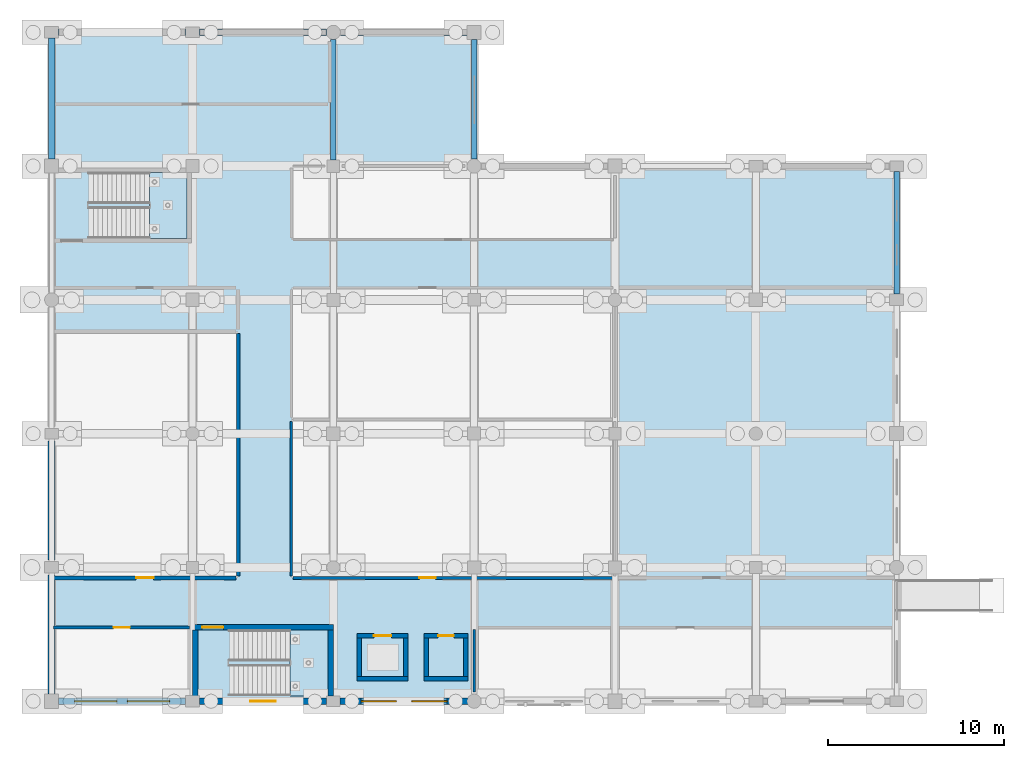
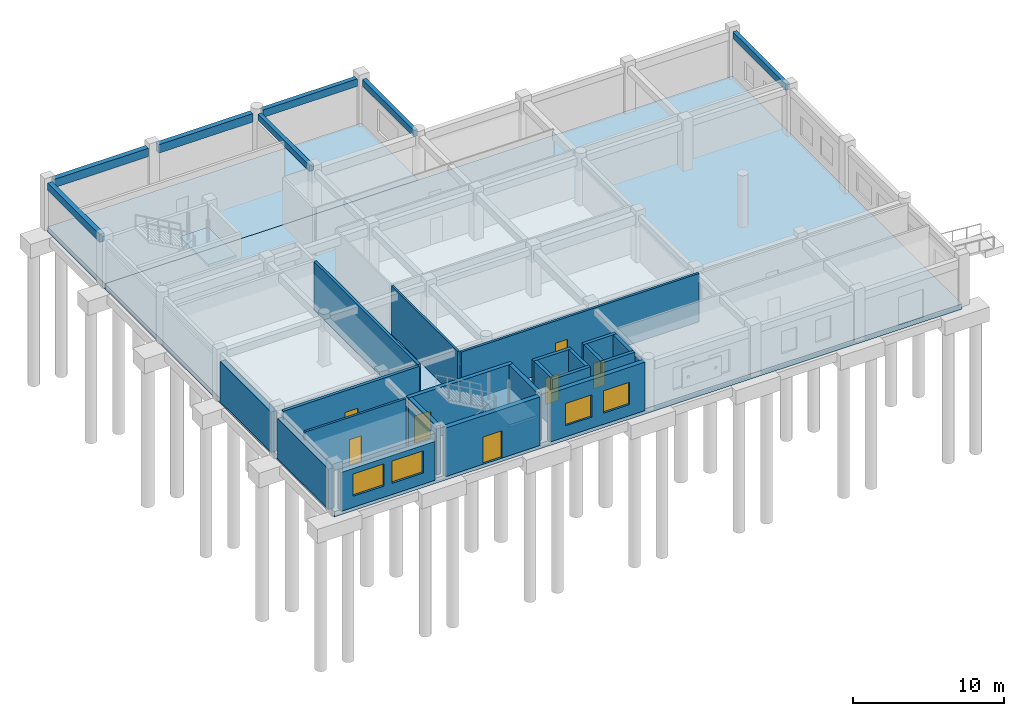
# One storey, part 5 of 11: 22 walls, 7 beams, 7 doors, 4 slabs, 4 windows, 11 openings, 2 elements without a shape of their own.
"""IFC4 building model written with IfcOpenShell, lengths in metres."""

from ifc_helpers import new_model, si_unit, direction, frame, frame_2d, origin, origin_2d, place, context, subcontext, project, spatial, polyline, rectangle, outline, extrude, material, layer, layer_set, material_profile, profile_set, type_object, element, fill, aggregate, save


model = new_model("IFC4")

# Units and contexts
model_context = context("Model", 3, precision=1e-05, world=origin(), true_north=direction((0.0, 1.0)))
body_context = subcontext(model_context, "Body", "Model", "MODEL_VIEW")
ifc_project = project(units=[si_unit("LENGTHUNIT", "METRE"), si_unit("AREAUNIT", "SQUARE_METRE"), si_unit("VOLUMEUNIT", "CUBIC_METRE"), si_unit("PLANEANGLEUNIT", "RADIAN"), si_unit("MASSUNIT", "GRAM", prefix="KILO")], contexts=[model_context])

# Site, building, storey
site_placement = place(None, origin())
site = spatial("IfcSite", under=ifc_project, at=site_placement, CompositionType="ELEMENT")
building_placement = place(site_placement, origin())
building = spatial("IfcBuilding", under=site, at=building_placement, Name="Kharva Crest Polytechnic", CompositionType="ELEMENT")
storey_placement = place(building_placement, frame((0.0, 0.0, -4.199951171875)))
storey = spatial("IfcBuildingStorey", under=building, at=storey_placement, Name="LG", CompositionType="ELEMENT", Elevation=-4.199951171875)

# Beams
ifc_material_1 = material(Name="Concrete C35/45", Category="concrete")
ifc_material_profile_1 = material_profile(ifc_material_1, rectangle(XDim=0.300048828125, YDim=0.47998046875, at=origin_2d()), Name="RECT 300 X 480")
ifc_profile_set_1 = profile_set([ifc_material_profile_1], Name="Concrete C35/45")
beam_type_1 = type_object("IfcBeamType", Name="BM-RC-300X480", PredefinedType="BEAM", material=ifc_profile_set_1)
beam_1_placement = place(storey_placement, frame((136.800048828125, 30.75, 3.554931640625), z_axis=(0.0, 1.0, 0.0), x_axis=(-1.0, 0.0, 0.0)))
element("IfcBeam", 1, at=beam_1_placement, inside=storey, type_object=beam_type_1, Name="LG Girder 18/E-F", PredefinedType="BEAM", context=body_context, shape_type="SweptSolid", body=[
    extrude(rectangle(XDim=0.300048828125, YDim=0.47998046875, at=origin_2d()), origin(), (0.0, 0.0, 1.0), 6.85009765625),
])
ifc_material_profile_2 = material_profile(ifc_material_1, rectangle(XDim=0.300048828125, YDim=0.52001953125, at=origin_2d()), Name="RECT 300 X 520")
ifc_profile_set_2 = profile_set([ifc_material_profile_2], Name="Concrete C35/45")
beam_type_2 = type_object("IfcBeamType", Name="SP-RC-300X520", PredefinedType="SPANDREL", material=ifc_profile_set_2)
beam_2_placement = place(storey_placement, frame((144.800048828125, 30.800048828125, 3.534912109375), z_axis=(0.0, 1.0, 0.0), x_axis=(-1.0, 0.0, 0.0)))
element("IfcBeam", 2, at=beam_2_placement, inside=storey, type_object=beam_type_2, Name="LG Girder 19/E-F", PredefinedType="SPANDREL", context=body_context, shape_type="SweptSolid", body=[
    extrude(rectangle(XDim=0.300048828125, YDim=0.52001953125, at=origin_2d()), origin(), (0.0, 0.0, 1.0), 6.800048828125),
])
beam_3_placement = place(storey_placement, frame((168.800048828125, 23.125, 3.534912109375), z_axis=(0.0, 1.0, 0.0), x_axis=(-1.0, 0.0, 0.0)))
element("IfcBeam", 3, at=beam_3_placement, inside=storey, type_object=beam_type_2, Name="LG Girder 22/D-E", PredefinedType="SPANDREL", context=body_context, shape_type="SweptSolid", body=[
    extrude(rectangle(XDim=0.300048828125, YDim=0.52001953125, at=origin_2d()), origin(), (0.0, 0.0, 1.0), 6.97509765625),
])
ifc_material_profile_3 = material_profile(ifc_material_1, rectangle(XDim=0.340087890625, YDim=0.60009765625, at=origin_2d()), Name="RECT 340 X 600")
ifc_profile_set_3 = profile_set([ifc_material_profile_3], Name="Concrete C35/45")
beam_type_3 = type_object("IfcBeamType", Name="SP-RC-340X600", PredefinedType="SPANDREL", material=ifc_profile_set_3)
beam_4_placement = place(storey_placement, frame((137.199951171875, 38.0, 3.494873046875), z_axis=(1.0, 0.0, 0.0), x_axis=(0.0, 1.0, 0.0)))
element("IfcBeam", 4, at=beam_4_placement, inside=storey, type_object=beam_type_3, Name="LG Beam F/18-19", PredefinedType="SPANDREL", context=body_context, shape_type="SweptSolid", body=[
    extrude(rectangle(XDim=0.340087890625, YDim=0.60009765625, at=origin_2d()), origin(), (0.0, 0.0, 1.0), 7.199951171875),
])
ifc_material_profile_4 = material_profile(ifc_material_1, rectangle(XDim=0.35009765625, YDim=0.6201171875, at=origin_2d()), Name="RECT 350 X 620")
ifc_profile_set_4 = profile_set([ifc_material_profile_4], Name="Concrete C35/45")
beam_type_4 = type_object("IfcBeamType", Name="SP-RC-350X620", PredefinedType="SPANDREL", material=ifc_profile_set_4)
beam_5_placement = place(storey_placement, frame((120.800048828125, 30.800048828125, 3.48486328125), z_axis=(0.0, 1.0, 0.0), x_axis=(-1.0, 0.0, 0.0)))
element("IfcBeam", 5, at=beam_5_placement, inside=storey, type_object=beam_type_4, Name="LG Girder 16J/E-F", PredefinedType="SPANDREL", context=body_context, shape_type="SweptSolid", body=[
    extrude(rectangle(XDim=0.35009765625, YDim=0.6201171875, at=origin_2d()), origin(), (0.0, 0.0, 1.0), 6.875),
])
ifc_material_profile_5 = material_profile(ifc_material_1, rectangle(XDim=0.3798828125, YDim=0.679931640625, at=origin_2d()), Name="RECT 380 X 680")
ifc_profile_set_5 = profile_set([ifc_material_profile_5], Name="Concrete C35/45")
beam_type_5 = type_object("IfcBeamType", Name="SP-RC-380X680", PredefinedType="SPANDREL", material=ifc_profile_set_5)
for number, where, z_axis, x_axis, name in (
    (6, (121.199951171875, 38.0, 3.454833984375), (1.0, 0.0, 0.0), (0.0, 1.0, 0.0), "LG Beam F/16J-17"),
    (7, (129.18994140625, 38.0, 3.454833984375), (1.0, 0.0, 0.0), (0.0, 1.0, 0.0), "LG Beam F/17-18"),
):
    element("IfcBeam", number, at=place(storey_placement, frame(where, z_axis=z_axis, x_axis=x_axis)), inside=storey, type_object=beam_type_5, Name=name, PredefinedType="SPANDREL", context=body_context, shape_type="SweptSolid", body=[
        extrude(rectangle(XDim=0.3798828125, YDim=0.679931640625, at=origin_2d()), origin(), (0.0, 0.0, 1.0), 7.2099609375),
    ])

# Slabs
ifc_layer_1 = layer(ifc_material_1, 0.419921875, Name="Concrete C35/45")
ifc_layer_set_1 = layer_set([ifc_layer_1], Name="Concrete C35/45")
slab_type_1 = type_object("IfcSlabType", Name="SLB-BASE-420", PredefinedType="BASESLAB", material=ifc_layer_set_1)
slab_1_placement = place(storey_placement, frame((0.0, 0.0, -0.420166015625)))
element("IfcSlab", 8, at=slab_1_placement, inside=storey, type_object=slab_type_1, Name="LG Structural Slab SE_REF_MAIN", PredefinedType="BASESLAB", context=body_context, shape_type="SweptSolid", body=[
    extrude(outline(polyline([(120.800048828125, 0.0), (168.800048828125, 0.0), (168.800048828125, 30.39990234375), (120.800048828125, 30.39990234375), (120.800048828125, 0.0)])), origin(), (0.0, 0.0, 1.0), 0.420166015625),
])
slab_2_placement = place(storey_placement, frame((0.0, 0.0, -0.420166015625)))
element("IfcSlab", 9, at=slab_2_placement, inside=storey, type_object=slab_type_1, Name="LG Structural Slab SE_REF_N", PredefinedType="BASESLAB", context=body_context, shape_type="SweptSolid", body=[
    extrude(outline(polyline([(120.800048828125, 30.39990234375), (144.800048828125, 30.39990234375), (144.800048828125, 38.0), (120.800048828125, 38.0), (120.800048828125, 30.39990234375)])), origin(), (0.0, 0.0, 1.0), 0.420166015625),
])

# Stair, slab
stair_type_1 = type_object("IfcStairType", Name="STR-DOGLEG-1780", PredefinedType="TWO_STRAIGHT_RUN_STAIR", material=ifc_material_1)
stair_1_placement = place(storey_placement, origin())
stair_1 = element("IfcStair", 10, at=stair_1_placement, inside=storey, type_object=stair_type_1, Name="LG South-East Refectory Escarpment Core C6", PredefinedType="TWO_STRAIGHT_RUN_STAIR")
ifc_layer_2 = layer(ifc_material_1, 0.199951171875, Name="Concrete C35/45")
ifc_layer_set_2 = layer_set([ifc_layer_2], Name="Concrete C35/45")
slab_type_2 = type_object("IfcSlabType", Name="SLB-LAND-200", PredefinedType="LANDING", material=ifc_layer_set_2)
slab_3_placement = place(storey_placement, frame((0.0, 0.0, 1.89990234375)))
slab_3 = element("IfcSlab", 11, at=slab_3_placement, type_object=slab_type_2, Name="ST-06 landing 1", PredefinedType="LANDING", context=body_context, shape_type="SweptSolid", body=[
    extrude(outline(polyline([(134.3349609375, 0.300048828125), (136.5, 0.300048828125), (136.5, 4.06005859375), (134.3349609375, 4.06005859375), (134.3349609375, 0.300048828125)])), origin(), (0.0, 0.0, 1.0), 0.199951171875),
])
aggregate(stair_1, [slab_3])

stair_type_2 = type_object("IfcStairType", Name="STR-DOGLEG-1790", PredefinedType="TWO_STRAIGHT_RUN_STAIR", material=ifc_material_1)
stair_2_placement = place(storey_placement, origin())
stair_2 = element("IfcStair", 12, at=stair_2_placement, inside=storey, type_object=stair_type_2, Name="LG South-East Escarpment Secondary Stair C7", PredefinedType="TWO_STRAIGHT_RUN_STAIR")
slab_4_placement = place(storey_placement, frame((0.0, 0.0, 1.89990234375)))
slab_4 = element("IfcSlab", 13, at=slab_4_placement, type_object=slab_type_2, Name="ST-07 landing 1", PredefinedType="LANDING", context=body_context, shape_type="SweptSolid", body=[
    extrude(outline(polyline([(126.344970703125, 26.2900390625), (128.5, 26.2900390625), (128.5, 30.050048828125), (126.344970703125, 30.050048828125), (126.344970703125, 26.2900390625)])), origin(), (0.0, 0.0, 1.0), 0.199951171875),
])
aggregate(stair_2, [slab_4])

# Wall, opening, door
ifc_material_2 = material(Name="Concrete C40/50", Category="concrete")
ifc_layer_3 = layer(ifc_material_2, 0.300048828125, Name="Concrete C40/50")
ifc_layer_set_3 = layer_set([ifc_layer_3], Name="Concrete C40/50")
wall_type_1 = type_object("IfcWallType", Name="WL-CORE-CW2-300", PredefinedType="SHEAR", material=ifc_layer_set_3)
wall_1_placement = place(storey_placement, frame((128.800048828125, 4.2099609375, 0.0), z_axis=(0.0, 0.0, 1.0), x_axis=(1.0, 0.0, 0.0)))
wall_1 = element("IfcWall", 14, at=wall_1_placement, inside=storey, type_object=wall_type_1, Name="LG South-East Refectory Escarpment Core C6 North Shear Wall", PredefinedType="SHEAR", context=body_context, shape_type="SweptSolid", body=[
    extrude(rectangle(XDim=8.0, YDim=0.300048828125, at=frame_2d((4.0, 0.0))), origin(), (0.0, 0.0, 1.0), 3.919921875),
])
opening_1_placement = place(wall_1_placement, frame((0.550048828125, 0.0, 0.0)))
opening_1 = element("IfcOpeningElement", 15, at=opening_1_placement, cuts=wall_1, Name="Opening FD1", PredefinedType="OPENING", context=body_context, shape_type="SweptSolid", body=[
    extrude(rectangle(XDim=1.199951171875, YDim=2.199951171875, at=frame_2d((0.60009765625, 1.10009765625))), frame((0.0, 0.159912109375, 0.0), z_axis=(0.0, -1.0, 0.0), x_axis=(1.0, 0.0, 0.0)), (0.0, 0.0, 1.0), 0.320068359375),
])
ifc_material_3 = material(Name="Teak timber", Category="wood")
door_type_1 = type_object("IfcDoorType", Name="DR-STAIR-1200X2200", OperationType="NOTDEFINED", PredefinedType="DOOR", material=ifc_material_3)
door_1_placement = place(opening_1_placement, origin())
door_1 = element("IfcDoor", 16, at=door_1_placement, inside=storey, type_object=door_type_1, Name="LG ST-06 Stair Door", OperationType="SINGLE_SWING_LEFT", OverallHeight=2.199951171875, OverallWidth=1.199951171875, PredefinedType="DOOR", context=body_context, shape_type="SweptSolid", body=[
    extrude(rectangle(XDim=1.199951171875, YDim=2.199951171875, at=frame_2d((0.60009765625, 1.10009765625))), frame((0.0, 0.02490234375, 0.0), z_axis=(0.0, -1.0, 0.0), x_axis=(1.0, 0.0, 0.0)), (0.0, 0.0, 1.0), 0.050048828125),
])
fill(opening_1, door_1)

# Walls
for number, where, z_axis, x_axis, name in (
    (17, (128.949951171875, 0.300048828125, 0.0), (0.0, 0.0, 1.0), (0.0, 1.0, 0.0), "LG South-East Refectory Escarpment Core C6 West Shear Wall"),
    (18, (136.64990234375, 0.300048828125, 0.0), (0.0, 0.0, 1.0), (0.0, 1.0, 0.0), "LG South-East Refectory Escarpment Core C6 East Shear Wall"),
):
    element("IfcWall", number, at=place(storey_placement, frame(where, z_axis=z_axis, x_axis=x_axis)), inside=storey, type_object=wall_type_1, Name=name, PredefinedType="SHEAR", context=body_context, shape_type="SweptSolid", body=[
        extrude(rectangle(XDim=3.760009765625, YDim=0.300048828125, at=frame_2d((1.8798828125, 0.0))), origin(), (0.0, 0.0, 1.0), 3.919921875),
    ])

# Wall, openings, windows
ifc_material_4 = material(Name="Kiln brick masonry", Category="masonry")
ifc_layer_4 = layer(ifc_material_4, 0.35009765625, Name="Kiln brick masonry")
ifc_layer_set_4 = layer_set([ifc_layer_4], Name="Kiln brick masonry")
wall_type_2 = type_object("IfcWallType", Name="WL-EXT-BRK-350", PredefinedType="SOLIDWALL", material=ifc_layer_set_4)
wall_2_placement = place(storey_placement, frame((137.18505859375, 0.0, 0.0), z_axis=(0.0, 0.0, 1.0), x_axis=(1.0, 0.0, 0.0)))
wall_2 = element("IfcWall", 19, at=wall_2_placement, inside=storey, type_object=wall_type_2, Name="LG Exterior Brick Wall 4", PredefinedType="SOLIDWALL", context=body_context, shape_type="SweptSolid", body=[
    extrude(rectangle(XDim=7.279052734375, YDim=0.35009765625, at=frame_2d((3.6396484375, 0.0))), origin(), (0.0, 0.0, 1.0), 3.919921875),
])
opening_2_placement = place(wall_2_placement, frame((1.199951171875, 0.0, 0.89990234375)))
opening_2 = element("IfcOpeningElement", 20, at=opening_2_placement, cuts=wall_2, Name="Opening W04", PredefinedType="OPENING", context=body_context, shape_type="SweptSolid", body=[
    extrude(rectangle(XDim=2.0, YDim=1.800048828125, at=frame_2d((1.0, 0.89990234375))), frame((0.0, 0.18505859375, 0.0), z_axis=(0.0, -1.0, 0.0), x_axis=(1.0, 0.0, 0.0)), (0.0, 0.0, 1.0), 0.3701171875),
])
opening_3_placement = place(wall_2_placement, frame((4.0791015625, 0.0, 0.89990234375)))
opening_3 = element("IfcOpeningElement", 21, at=opening_3_placement, cuts=wall_2, Name="Opening W04", PredefinedType="OPENING", context=body_context, shape_type="SweptSolid", body=[
    extrude(rectangle(XDim=2.0, YDim=1.800048828125, at=frame_2d((1.0, 0.89990234375))), frame((0.0, 0.18505859375, 0.0), z_axis=(0.0, -1.0, 0.0), x_axis=(1.0, 0.0, 0.0)), (0.0, 0.0, 1.0), 0.3701171875),
])
ifc_material_5 = material(Name="Anodised aluminium", Category="aluminium")
window_type_1 = type_object("IfcWindowType", Name="WIN-ALU-2000X1800", PartitioningType="SINGLE_PANEL", PredefinedType="WINDOW", material=ifc_material_5)
window_1_placement = place(opening_2_placement, origin())
window_1 = element("IfcWindow", 22, at=window_1_placement, inside=storey, type_object=window_type_1, Name="LG Exterior Window 4", OverallHeight=1.800048828125, OverallWidth=2.0, PartitioningType="SINGLE_PANEL", PredefinedType="WINDOW", context=body_context, shape_type="SweptSolid", body=[
    extrude(rectangle(XDim=2.0, YDim=1.800048828125, at=frame_2d((1.0, 0.89990234375))), frame((0.0, 0.030029296875, 0.0), z_axis=(0.0, -1.0, 0.0), x_axis=(1.0, 0.0, 0.0)), (0.0, 0.0, 1.0), 0.06005859375),
])
fill(opening_2, window_1)
window_2_placement = place(opening_3_placement, origin())
window_2 = element("IfcWindow", 23, at=window_2_placement, inside=storey, type_object=window_type_1, Name="LG Exterior Window 5", OverallHeight=1.800048828125, OverallWidth=2.0, PartitioningType="SINGLE_PANEL", PredefinedType="WINDOW", context=body_context, shape_type="SweptSolid", body=[
    extrude(rectangle(XDim=2.0, YDim=1.800048828125, at=frame_2d((1.0, 0.89990234375))), frame((0.0, 0.030029296875, 0.0), z_axis=(0.0, -1.0, 0.0), x_axis=(1.0, 0.0, 0.0)), (0.0, 0.0, 1.0), 0.06005859375),
])
fill(opening_3, window_2)

# Wall, opening, door
ifc_layer_5 = layer(ifc_material_4, 0.364990234375, Name="Kiln brick masonry")
ifc_layer_set_5 = layer_set([ifc_layer_5], Name="Kiln brick masonry")
wall_type_3 = type_object("IfcWallType", Name="WL-EXT-BRK-365", PredefinedType="SOLIDWALL", material=ifc_layer_set_5)
wall_3_placement = place(storey_placement, frame((129.195068359375, 0.0, 0.0), z_axis=(0.0, 0.0, 1.0), x_axis=(1.0, 0.0, 0.0)))
wall_3 = element("IfcWall", 24, at=wall_3_placement, inside=storey, type_object=wall_type_3, Name="LG Exterior Brick Wall 3", PredefinedType="SOLIDWALL", context=body_context, shape_type="SweptSolid", body=[
    extrude(rectangle(XDim=7.219970703125, YDim=0.364990234375, at=frame_2d((3.60986328125, 0.0))), origin(), (0.0, 0.0, 1.0), 3.919921875),
])
opening_4_placement = place(wall_3_placement, frame((2.8798828125, 0.0, 0.0)))
opening_4 = element("IfcOpeningElement", 25, at=opening_4_placement, cuts=wall_3, Name="Opening ED5", PredefinedType="OPENING", context=body_context, shape_type="SweptSolid", body=[
    extrude(rectangle(XDim=1.449951171875, YDim=2.199951171875, at=frame_2d((0.72509765625, 1.10009765625))), frame((0.0, 0.1923828125, 0.0), z_axis=(0.0, -1.0, 0.0), x_axis=(1.0, 0.0, 0.0)), (0.0, 0.0, 1.0), 0.385009765625),
])
door_type_2 = type_object("IfcDoorType", Name="DR-EXT-ESC-1450X2200", OperationType="NOTDEFINED", PredefinedType="DOOR", material=ifc_material_5)
door_2_placement = place(opening_4_placement, frame((1.449951171875, 0.0, 0.0), z_axis=(0.0, 0.0, 1.0), x_axis=(-1.0, 0.0, 0.0)))
door_2 = element("IfcDoor", 26, at=door_2_placement, inside=storey, type_object=door_type_2, Name="LG Core C6 Final Exit Door", OperationType="SINGLE_SWING_LEFT", OverallHeight=2.199951171875, OverallWidth=1.449951171875, PredefinedType="DOOR", context=body_context, shape_type="SweptSolid", body=[
    extrude(rectangle(XDim=1.449951171875, YDim=2.199951171875, at=frame_2d((0.72509765625, 1.10009765625))), frame((0.0, 0.02490234375, 0.0), z_axis=(0.0, -1.0, 0.0), x_axis=(1.0, 0.0, 0.0)), (0.0, 0.0, 1.0), 0.050048828125),
])
fill(opening_4, door_2)

# Wall, openings, windows
ifc_layer_6 = layer(ifc_material_4, 0.3798828125, Name="Kiln brick masonry")
ifc_layer_set_6 = layer_set([ifc_layer_6], Name="Kiln brick masonry")
wall_type_4 = type_object("IfcWallType", Name="WL-EXT-BRK-380", PredefinedType="SOLIDWALL", material=ifc_layer_set_6)
wall_4_placement = place(storey_placement, frame((121.195068359375, 0.0, 0.0), z_axis=(0.0, 0.0, 1.0), x_axis=(1.0, 0.0, 0.0)))
wall_4 = element("IfcWall", 27, at=wall_4_placement, inside=storey, type_object=wall_type_4, Name="LG Exterior Brick Wall 2", PredefinedType="SOLIDWALL", context=body_context, shape_type="SweptSolid", body=[
    extrude(rectangle(XDim=7.2099609375, YDim=0.3798828125, at=frame_2d((3.60498046875, 0.0))), origin(), (0.0, 0.0, 1.0), 3.14501953125),
])
opening_5_placement = place(wall_4_placement, frame((0.909912109375, 0.0, 0.89990234375)))
opening_5 = element("IfcOpeningElement", 28, at=opening_5_placement, cuts=wall_4, Name="Opening W02", PredefinedType="OPENING", context=body_context, shape_type="SweptSolid", body=[
    extrude(rectangle(XDim=2.39990234375, YDim=1.800048828125, at=frame_2d((1.199951171875, 0.89990234375))), frame((0.0, 0.199951171875, 0.0), z_axis=(0.0, -1.0, 0.0), x_axis=(1.0, 0.0, 0.0)), (0.0, 0.0, 1.0), 0.39990234375),
])
opening_6_placement = place(wall_4_placement, frame((3.89990234375, 0.0, 0.89990234375)))
opening_6 = element("IfcOpeningElement", 29, at=opening_6_placement, cuts=wall_4, Name="Opening W02", PredefinedType="OPENING", context=body_context, shape_type="SweptSolid", body=[
    extrude(rectangle(XDim=2.39990234375, YDim=1.800048828125, at=frame_2d((1.199951171875, 0.89990234375))), frame((0.0, 0.199951171875, 0.0), z_axis=(0.0, -1.0, 0.0), x_axis=(1.0, 0.0, 0.0)), (0.0, 0.0, 1.0), 0.39990234375),
])
window_type_2 = type_object("IfcWindowType", Name="WIN-ALU-2400X1800", PartitioningType="SINGLE_PANEL", PredefinedType="WINDOW", material=ifc_material_5)
window_3_placement = place(opening_5_placement, origin())
window_3 = element("IfcWindow", 30, at=window_3_placement, inside=storey, type_object=window_type_2, Name="LG Exterior Window 2", OverallHeight=1.800048828125, OverallWidth=2.39990234375, PartitioningType="SINGLE_PANEL", PredefinedType="WINDOW", context=body_context, shape_type="SweptSolid", body=[
    extrude(rectangle(XDim=2.39990234375, YDim=1.800048828125, at=frame_2d((1.199951171875, 0.89990234375))), frame((0.0, 0.030029296875, 0.0), z_axis=(0.0, -1.0, 0.0), x_axis=(1.0, 0.0, 0.0)), (0.0, 0.0, 1.0), 0.06005859375),
])
fill(opening_5, window_3)
window_4_placement = place(opening_6_placement, origin())
window_4 = element("IfcWindow", 31, at=window_4_placement, inside=storey, type_object=window_type_2, Name="LG Exterior Window 3", OverallHeight=1.800048828125, OverallWidth=2.39990234375, PartitioningType="SINGLE_PANEL", PredefinedType="WINDOW", context=body_context, shape_type="SweptSolid", body=[
    extrude(rectangle(XDim=2.39990234375, YDim=1.800048828125, at=frame_2d((1.199951171875, 0.89990234375))), frame((0.0, 0.030029296875, 0.0), z_axis=(0.0, -1.0, 0.0), x_axis=(1.0, 0.0, 0.0)), (0.0, 0.0, 1.0), 0.06005859375),
])
fill(opening_6, window_4)

# Walls
ifc_layer_7 = layer(ifc_material_4, 0.199951171875, Name="Kiln brick masonry")
ifc_layer_set_7 = layer_set([ifc_layer_7], Name="Kiln brick masonry")
wall_type_5 = type_object("IfcWallType", Name="WL-FIRE-FW1-200", PredefinedType="SOLIDWALL", material=ifc_layer_set_7)
wall_5_placement = place(storey_placement, frame((131.389892578125, 7.1201171875, 0.0), z_axis=(0.0, 0.0, 1.0), x_axis=(0.0, 1.0, 0.0)))
element("IfcWall", 32, at=wall_5_placement, inside=storey, type_object=wall_type_5, Name="LG Interior Partition 6", PredefinedType="SOLIDWALL", context=body_context, shape_type="SweptSolid", body=[
    extrude(rectangle(XDim=13.769775390625, YDim=0.199951171875, at=frame_2d((6.884765625, 0.0))), origin(), (0.0, 0.0, 1.0), 3.89990234375),
])
ifc_layer_8 = layer(ifc_material_4, 0.14990234375, Name="Kiln brick masonry")
ifc_layer_set_8 = layer_set([ifc_layer_8], Name="Kiln brick masonry")
wall_type_6 = type_object("IfcWallType", Name="WL-PART-150", PredefinedType="PARTITIONING", material=ifc_layer_set_8)
wall_6_placement = place(storey_placement, frame((144.800048828125, 0.530029296875, 0.0), z_axis=(0.0, 0.0, 1.0), x_axis=(0.0, 1.0, 0.0)))
element("IfcWall", 33, at=wall_6_placement, inside=storey, type_object=wall_type_6, Name="LG Interior Partition 3", PredefinedType="PARTITIONING", context=body_context, shape_type="SweptSolid", body=[
    extrude(rectangle(XDim=3.550048828125, YDim=0.14990234375, at=frame_2d((1.77490234375, 0.0))), origin(), (0.0, 0.0, 1.0), 3.344970703125),
])
wall_7_placement = place(storey_placement, frame((134.409912109375, 7.1201171875, 0.0), z_axis=(0.0, 0.0, 1.0), x_axis=(0.0, 1.0, 0.0)))
element("IfcWall", 34, at=wall_7_placement, inside=storey, type_object=wall_type_6, Name="LG Interior Partition 13", PredefinedType="PARTITIONING", context=body_context, shape_type="SweptSolid", body=[
    extrude(rectangle(XDim=8.769775390625, YDim=0.14990234375, at=frame_2d((4.384765625, 0.0))), origin(), (0.0, 0.0, 1.0), 3.89990234375),
])

# Wall, opening, door
ifc_layer_9 = layer(ifc_material_4, 0.169921875, Name="Kiln brick masonry")
ifc_layer_set_9 = layer_set([ifc_layer_9], Name="Kiln brick masonry")
wall_type_7 = type_object("IfcWallType", Name="WL-PART-170", PredefinedType="PARTITIONING", material=ifc_layer_set_9)
wall_8_placement = place(storey_placement, frame((120.909912109375, 4.18994140625, 0.0), z_axis=(0.0, 0.0, 1.0), x_axis=(1.0, 0.0, 0.0)))
wall_8 = element("IfcWall", 35, at=wall_8_placement, inside=storey, type_object=wall_type_7, Name="LG Interior Partition 1", PredefinedType="PARTITIONING", context=body_context, shape_type="SweptSolid", body=[
    extrude(rectangle(XDim=7.72998046875, YDim=0.169921875, at=frame_2d((3.864990234375, 0.0))), origin(), (0.0, 0.0, 1.0), 3.89990234375),
])
opening_7_placement = place(wall_8_placement, frame((3.405029296875, 0.0, 0.0)))
opening_7 = element("IfcOpeningElement", 36, at=opening_7_placement, cuts=wall_8, Name="Opening ID16", PredefinedType="OPENING", context=body_context, shape_type="SweptSolid", body=[
    extrude(rectangle(XDim=0.919921875, YDim=2.10009765625, at=frame_2d((0.4599609375, 1.050048828125))), frame((0.0, 0.094970703125, 0.0), z_axis=(0.0, -1.0, 0.0), x_axis=(1.0, 0.0, 0.0)), (0.0, 0.0, 1.0), 0.18994140625),
])
door_type_3 = type_object("IfcDoorType", Name="DR-STR-920X2100", OperationType="NOTDEFINED", PredefinedType="DOOR", material=ifc_material_3)
door_3_placement = place(opening_7_placement, origin())
door_3 = element("IfcDoor", 37, at=door_3_placement, inside=storey, type_object=door_type_3, Name="LG Cold Storage Room Door", OperationType="SINGLE_SWING_RIGHT", OverallHeight=2.10009765625, OverallWidth=0.919921875, PredefinedType="DOOR", context=body_context, shape_type="SweptSolid", body=[
    extrude(rectangle(XDim=0.919921875, YDim=2.10009765625, at=frame_2d((0.4599609375, 1.050048828125))), frame((0.0, 0.02490234375, 0.0), z_axis=(0.0, -1.0, 0.0), x_axis=(1.0, 0.0, 0.0)), (0.0, 0.0, 1.0), 0.050048828125),
])
fill(opening_7, door_3)

wall_9_placement = place(storey_placement, frame((134.52001953125, 7.010009765625, 0.0), z_axis=(0.0, 0.0, 1.0), x_axis=(1.0, 0.0, 0.0)))
wall_9 = element("IfcWall", 38, at=wall_9_placement, inside=storey, type_object=wall_type_7, Name="LG Interior Partition 11", PredefinedType="PARTITIONING", context=body_context, shape_type="SweptSolid", body=[
    extrude(rectangle(XDim=18.169921875, YDim=0.169921875, at=frame_2d((9.0849609375, 0.0))), origin(), (0.0, 0.0, 1.0), 3.89990234375),
])
opening_8_placement = place(wall_9_placement, frame((7.1708984375, 0.0, 0.0)))
opening_8 = element("IfcOpeningElement", 39, at=opening_8_placement, cuts=wall_9, Name="Opening ID16", PredefinedType="OPENING", context=body_context, shape_type="SweptSolid", body=[
    extrude(rectangle(XDim=0.919921875, YDim=2.10009765625, at=frame_2d((0.4599609375, 1.050048828125))), frame((0.0, 0.094970703125, 0.0), z_axis=(0.0, -1.0, 0.0), x_axis=(1.0, 0.0, 0.0)), (0.0, 0.0, 1.0), 0.18994140625),
])
door_4_placement = place(opening_8_placement, origin())
door_4 = element("IfcDoor", 40, at=door_4_placement, inside=storey, type_object=door_type_3, Name="LG Equipment Store LG Door", OperationType="SINGLE_SWING_LEFT", OverallHeight=2.10009765625, OverallWidth=0.919921875, PredefinedType="DOOR", context=body_context, shape_type="SweptSolid", body=[
    extrude(rectangle(XDim=0.919921875, YDim=2.10009765625, at=frame_2d((0.4599609375, 1.050048828125))), frame((0.0, 0.02490234375, 0.0), z_axis=(0.0, -1.0, 0.0), x_axis=(1.0, 0.0, 0.0)), (0.0, 0.0, 1.0), 0.050048828125),
])
fill(opening_8, door_4)

ifc_layer_10 = layer(ifc_material_4, 0.22509765625, Name="Kiln brick masonry")
ifc_layer_set_10 = layer_set([ifc_layer_10], Name="Kiln brick masonry")
wall_type_8 = type_object("IfcWallType", Name="WL-PART-225", PredefinedType="PARTITIONING", material=ifc_layer_set_10)
wall_10_placement = place(storey_placement, frame((120.909912109375, 7.010009765625, 0.0), z_axis=(0.0, 0.0, 1.0), x_axis=(1.0, 0.0, 0.0)))
wall_10 = element("IfcWall", 41, at=wall_10_placement, inside=storey, type_object=wall_type_8, Name="LG Interior Partition 4", PredefinedType="PARTITIONING", context=body_context, shape_type="SweptSolid", body=[
    extrude(rectangle(XDim=10.3701171875, YDim=0.22509765625, at=frame_2d((5.18505859375, 0.0))), origin(), (0.0, 0.0, 1.0), 3.89990234375),
])
opening_9_placement = place(wall_10_placement, frame((4.68505859375, 0.0, 0.0)))
opening_9 = element("IfcOpeningElement", 42, at=opening_9_placement, cuts=wall_10, Name="Opening ID12", PredefinedType="OPENING", context=body_context, shape_type="SweptSolid", body=[
    extrude(rectangle(XDim=1.0, YDim=2.14990234375, at=frame_2d((0.5, 1.074951171875))), frame((0.0, 0.12255859375, 0.0), z_axis=(0.0, -1.0, 0.0), x_axis=(1.0, 0.0, 0.0)), (0.0, 0.0, 1.0), 0.2451171875),
])
door_type_4 = type_object("IfcDoorType", Name="DR-OFF-1000X2150", OperationType="NOTDEFINED", PredefinedType="DOOR", material=ifc_material_3)
door_5_placement = place(opening_9_placement, origin())
door_5 = element("IfcDoor", 43, at=door_5_placement, inside=storey, type_object=door_type_4, Name="LG Commercial Kitchen Door", OperationType="SINGLE_SWING_RIGHT", OverallHeight=2.14990234375, OverallWidth=1.0, PredefinedType="DOOR", context=body_context, shape_type="SweptSolid", body=[
    extrude(rectangle(XDim=1.0, YDim=2.14990234375, at=frame_2d((0.5, 1.074951171875))), frame((0.0, 0.02490234375, 0.0), z_axis=(0.0, -1.0, 0.0), x_axis=(1.0, 0.0, 0.0)), (0.0, 0.0, 1.0), 0.050048828125),
])
fill(opening_9, door_5)

# Walls
ifc_layer_11 = layer(ifc_material_1, 0.39990234375, Name="Concrete C35/45")
ifc_layer_set_11 = layer_set([ifc_layer_11], Name="Concrete C35/45")
wall_type_9 = type_object("IfcWallType", Name="WL-RET-400", PredefinedType="USERDEFINED", material=ifc_layer_set_11)
for number, where, z_axis, x_axis, name in (
    (44, (120.800048828125, 0.419921875, 0.0), (0.0, 0.0, 1.0), (0.0, 1.0, 0.0), "LG Escarpment Retaining Wall 1"),
    (45, (120.800048828125, 8.02001953125, 0.0), (0.0, 0.0, 1.0), (0.0, 1.0, 0.0), "LG Escarpment Retaining Wall 2"),
):
    element("IfcWall", number, at=place(storey_placement, frame(where, z_axis=z_axis, x_axis=x_axis)), inside=storey, type_object=wall_type_9, Name=name, ObjectType="RETAINING WALL", PredefinedType="USERDEFINED", context=body_context, shape_type="SweptSolid", body=[
        extrude(rectangle(XDim=6.760009765625, YDim=0.39990234375, at=frame_2d((3.3798828125, 0.0))), origin(), (0.0, 0.0, 1.0), 3.25),
    ])
ifc_layer_12 = layer(ifc_material_2, 0.25, Name="Concrete C40/50")
ifc_layer_set_12 = layer_set([ifc_layer_12], Name="Concrete C40/50")
wall_type_10 = type_object("IfcWallType", Name="WL-SHEAR-SW1-250", PredefinedType="SHEAR", material=ifc_layer_set_12)
wall_11_placement = place(storey_placement, frame((138.14990234375, 1.27490234375, 0.0), z_axis=(0.0, 0.0, 1.0), x_axis=(1.0, 0.0, 0.0)))
element("IfcWall", 46, at=wall_11_placement, inside=storey, type_object=wall_type_10, Name="LG Lift PL4 South Shaft Wall", PredefinedType="SHEAR", context=body_context, shape_type="SweptSolid", body=[
    extrude(rectangle(XDim=2.900146484375, YDim=0.25, at=frame_2d((1.4501953125, 0.0))), origin(), (0.0, 0.0, 1.0), 3.919921875),
])

# Wall, opening, door
wall_12_placement = place(storey_placement, frame((138.14990234375, 3.72509765625, 0.0), z_axis=(0.0, 0.0, 1.0), x_axis=(1.0, 0.0, 0.0)))
wall_12 = element("IfcWall", 47, at=wall_12_placement, inside=storey, type_object=wall_type_10, Name="LG Lift PL4 North Shaft Wall", PredefinedType="SHEAR", context=body_context, shape_type="SweptSolid", body=[
    extrude(rectangle(XDim=2.900146484375, YDim=0.25, at=frame_2d((1.4501953125, 0.0))), origin(), (0.0, 0.0, 1.0), 3.919921875),
])
opening_10_placement = place(wall_12_placement, frame((0.949951171875, 0.0, 0.0)))
opening_10 = element("IfcOpeningElement", 48, at=opening_10_placement, cuts=wall_12, Name="Opening LD2", PredefinedType="OPENING", context=body_context, shape_type="SweptSolid", body=[
    extrude(rectangle(XDim=1.0, YDim=2.14990234375, at=frame_2d((0.5, 1.074951171875))), frame((0.0, 0.135009765625, 0.0), z_axis=(0.0, -1.0, 0.0), x_axis=(1.0, 0.0, 0.0)), (0.0, 0.0, 1.0), 0.27001953125),
])
door_type_5 = type_object("IfcDoorType", Name="DR-LIFT-LD2-1000X2150", OperationType="SLIDING_TO_LEFT", PredefinedType="DOOR", material=ifc_material_5)
door_6_placement = place(opening_10_placement, origin())
door_6 = element("IfcDoor", 49, at=door_6_placement, inside=storey, type_object=door_type_5, Name="LG Lift PL4 Sliding Landing Door", OperationType="SLIDING_TO_LEFT", OverallHeight=2.14990234375, OverallWidth=1.0, PredefinedType="DOOR", context=body_context, shape_type="SweptSolid", body=[
    extrude(rectangle(XDim=1.0, YDim=2.14990234375, at=frame_2d((0.5, 1.074951171875))), frame((0.0, 0.02490234375, 0.0), z_axis=(0.0, -1.0, 0.0), x_axis=(1.0, 0.0, 0.0)), (0.0, 0.0, 1.0), 0.050048828125),
])
fill(opening_10, door_6)

# Walls
for number, where, z_axis, x_axis, name in (
    (50, (138.27490234375, 1.39990234375, 0.0), (0.0, 0.0, 1.0), (0.0, 1.0, 0.0), "LG Lift PL4 West Shaft Wall"),
    (51, (140.925048828125, 1.39990234375, 0.0), (0.0, 0.0, 1.0), (0.0, 1.0, 0.0), "LG Lift PL4 East Shaft Wall"),
):
    element("IfcWall", number, at=place(storey_placement, frame(where, z_axis=z_axis, x_axis=x_axis)), inside=storey, type_object=wall_type_10, Name=name, PredefinedType="SHEAR", context=body_context, shape_type="SweptSolid", body=[
        extrude(rectangle(XDim=2.2001953125, YDim=0.25, at=frame_2d((1.10009765625, 0.0))), origin(), (0.0, 0.0, 1.0), 3.919921875),
    ])
wall_13_placement = place(storey_placement, frame((141.949951171875, 1.27490234375, 0.0), z_axis=(0.0, 0.0, 1.0), x_axis=(1.0, 0.0, 0.0)))
element("IfcWall", 52, at=wall_13_placement, inside=storey, type_object=wall_type_10, Name="LG Core C6 Riser South Wall", PredefinedType="SHEAR", context=body_context, shape_type="SweptSolid", body=[
    extrude(rectangle(XDim=2.5, YDim=0.25, at=frame_2d((1.25, 0.0))), origin(), (0.0, 0.0, 1.0), 3.919921875),
])

# Wall, opening, door
wall_14_placement = place(storey_placement, frame((141.949951171875, 3.72509765625, 0.0), z_axis=(0.0, 0.0, 1.0), x_axis=(1.0, 0.0, 0.0)))
wall_14 = element("IfcWall", 53, at=wall_14_placement, inside=storey, type_object=wall_type_10, Name="LG Core C6 Riser North Wall", PredefinedType="SHEAR", context=body_context, shape_type="SweptSolid", body=[
    extrude(rectangle(XDim=2.5, YDim=0.25, at=frame_2d((1.25, 0.0))), origin(), (0.0, 0.0, 1.0), 3.919921875),
])
opening_11_placement = place(wall_14_placement, frame((0.800048828125, 0.0, 0.0)))
opening_11 = element("IfcOpeningElement", 54, at=opening_11_placement, cuts=wall_14, Name="Opening FD3", PredefinedType="OPENING", context=body_context, shape_type="SweptSolid", body=[
    extrude(rectangle(XDim=0.89990234375, YDim=2.050048828125, at=frame_2d((0.449951171875, 1.02490234375))), frame((0.0, 0.135009765625, 0.0), z_axis=(0.0, -1.0, 0.0), x_axis=(1.0, 0.0, 0.0)), (0.0, 0.0, 1.0), 0.27001953125),
])
door_type_6 = type_object("IfcDoorType", Name="DR-RISER-900X2050", OperationType="NOTDEFINED", PredefinedType="DOOR", material=ifc_material_5)
door_7_placement = place(opening_11_placement, origin())
door_7 = element("IfcDoor", 55, at=door_7_placement, inside=storey, type_object=door_type_6, Name="LG Core C6 Riser Access Door", OperationType="SINGLE_SWING_RIGHT", OverallHeight=2.050048828125, OverallWidth=0.89990234375, PredefinedType="DOOR", context=body_context, shape_type="SweptSolid", body=[
    extrude(rectangle(XDim=0.89990234375, YDim=2.050048828125, at=frame_2d((0.449951171875, 1.02490234375))), frame((0.0, 0.02490234375, 0.0), z_axis=(0.0, -1.0, 0.0), x_axis=(1.0, 0.0, 0.0)), (0.0, 0.0, 1.0), 0.050048828125),
])
fill(opening_11, door_7)

# Walls
for number, where, z_axis, x_axis, name in (
    (56, (142.074951171875, 1.39990234375, 0.0), (0.0, 0.0, 1.0), (0.0, 1.0, 0.0), "LG Core C6 Riser West Wall"),
    (57, (144.324951171875, 1.39990234375, 0.0), (0.0, 0.0, 1.0), (0.0, 1.0, 0.0), "LG Core C6 Riser East Wall"),
):
    element("IfcWall", number, at=place(storey_placement, frame(where, z_axis=z_axis, x_axis=x_axis)), inside=storey, type_object=wall_type_10, Name=name, PredefinedType="SHEAR", context=body_context, shape_type="SweptSolid", body=[
        extrude(rectangle(XDim=2.2001953125, YDim=0.25, at=frame_2d((1.10009765625, 0.0))), origin(), (0.0, 0.0, 1.0), 3.919921875),
    ])

save(model, "model.ifc")
